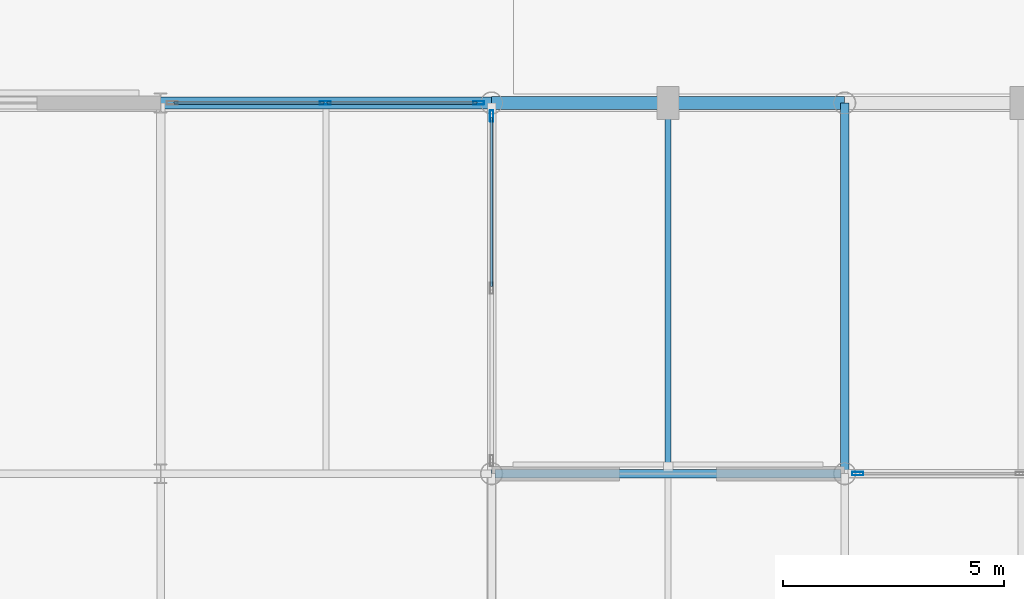
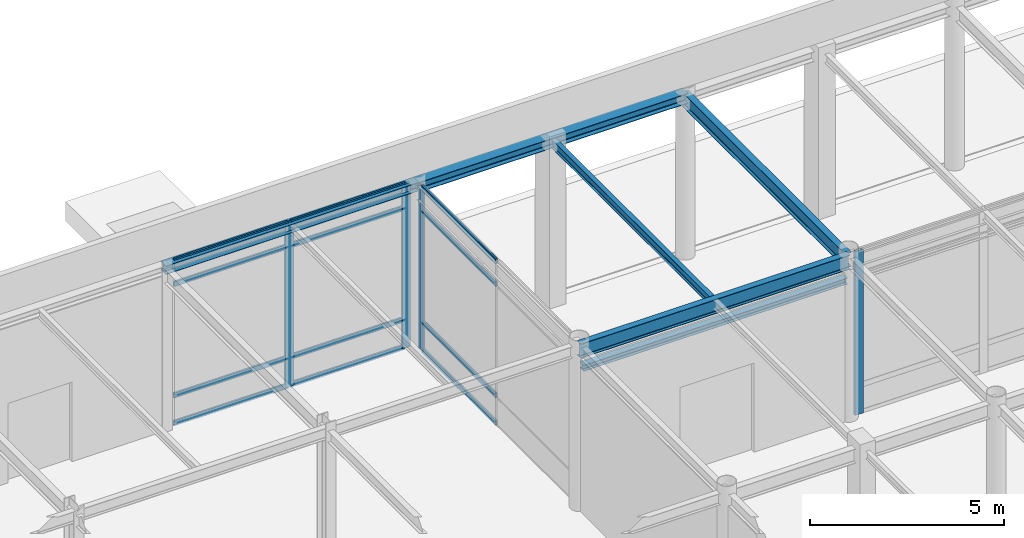
# One storey, part 35 of 89: 16 members, 6 beams, 3 elements without a shape of their own.
"""IFC4 building model written with IfcOpenShell, lengths in metres."""

from ifc_helpers import new_model, si_unit, direction, frame, origin, origin_2d, place, context, subcontext, project, spatial, hollow_rectangle, i_section, extrude, material, layer, layer_set, material_profile, profile_set, type_object, element, aggregate, save


model = new_model("IFC4")

# Units and contexts
model_context = context("Model", 3, precision=1e-05, world=origin(), true_north=direction((0.0, 1.0)))
body_context = subcontext(model_context, "Body", "Model", "MODEL_VIEW")
ifc_project = project(units=[si_unit("LENGTHUNIT", "METRE"), si_unit("AREAUNIT", "SQUARE_METRE"), si_unit("VOLUMEUNIT", "CUBIC_METRE"), si_unit("PLANEANGLEUNIT", "RADIAN"), si_unit("MASSUNIT", "GRAM", prefix="KILO")], contexts=[model_context])

# Site, building, storey
site_placement = place(None, origin())
site = spatial("IfcSite", under=ifc_project, at=site_placement, CompositionType="ELEMENT")
building_placement = place(site_placement, origin())
building = spatial("IfcBuilding", under=site, at=building_placement, Name="Shalkamar Park Central Library", CompositionType="ELEMENT")
storey_placement = place(building_placement, origin())
storey = spatial("IfcBuildingStorey", under=building, at=storey_placement, Name="L01", CompositionType="ELEMENT", Elevation=0.0)

# Beam
ifc_material_1 = material(Name="Steel S355", Category="steel")
ifc_material_profile_1 = material_profile(ifc_material_1, i_section(OverallWidth=0.135009765625, OverallDepth=0.27001953125, WebThickness=0.006591796875, FlangeThickness=0.01025390625, FilletRadius=0.014892578125, at=origin_2d()), Name="IPE 270")
ifc_profile_set_1 = profile_set([ifc_material_profile_1], Name="Steel S355")
beam_type_1 = type_object("IfcBeamType", Name="Composite Floor Joist IPE270", PredefinedType="JOIST", material=ifc_profile_set_1)
beam_1_placement = place(storey_placement, frame((169.0, 345.693115234375, 5.0048828125), z_axis=(0.0, 1.0, 0.0), x_axis=(-1.0, 0.0, 0.0)))
element("IfcBeam", 1, at=beam_1_placement, inside=storey, type_object=beam_type_1, Name="Composite Joist 07/Q-1 (L01)", PredefinedType="JOIST", context=body_context, shape_type="SweptSolid", body=[
    extrude(i_section(OverallWidth=0.135009765625, OverallDepth=0.27001953125, WebThickness=0.006591796875, FlangeThickness=0.01025390625, FilletRadius=0.014892578125, at=origin_2d()), origin(), (0.0, 0.0, 1.0), 8.158935546875),
])

# Curtain wall, members
ifc_material_2 = material(Name="Thermally broken aluminium and triple low-e curtain wall", Category="aluminium")
ifc_layer_1 = layer(ifc_material_2, 0.25)
ifc_layer_set_1 = layer_set([ifc_layer_1], Name="UnitisedCurtainWall_07")
curtain_wall_type_1 = type_object("IfcCurtainWallType", Name="Unitised Curtain Wall 07", PredefinedType="USERDEFINED", material=ifc_layer_set_1)
curtain_wall_1_placement = place(storey_placement, origin())
curtain_wall_1 = element("IfcCurtainWall", 2, at=curtain_wall_1_placement, inside=storey, type_object=curtain_wall_type_1, Name="Unitised Curtain Wall CW-L01-007", ObjectType="UNITISED CURTAIN WALL", PredefinedType="USERDEFINED")
ifc_material_3 = material(Name="Aluminium 6060-T66", Category="aluminium")
ifc_material_profile_2 = material_profile(ifc_material_3, hollow_rectangle(XDim=0.074951171875, YDim=0.25, WallThickness=0.00390625, InnerFilletRadius=0.00390625, OuterFilletRadius=0.006103515625, at=origin_2d()), Name="ALU 75x250x4")
ifc_profile_set_2 = profile_set([ifc_material_profile_2], Name="Aluminium 6060-T66")
member_type_1 = type_object("IfcMemberType", Name="Curtain Wall Mullion ALU75x250", PredefinedType="MULLION", material=ifc_profile_set_2)
member_1_placement = place(storey_placement, frame((161.235595703125, 354.0, 0.0), z_axis=(0.0, 0.0, 1.0), x_axis=(0.0, 1.0, 0.0)))
member_1 = element("IfcMember", 3, at=member_1_placement, type_object=member_type_1, Name="CW-07 mullion 2", PredefinedType="MULLION", context=body_context, shape_type="SweptSolid", body=[
    extrude(hollow_rectangle(XDim=0.074951171875, YDim=0.25, WallThickness=0.00390625, InnerFilletRadius=0.00390625, OuterFilletRadius=0.006103515625, at=origin_2d()), origin(), (0.0, 0.0, 1.0), 5.14990234375),
])
member_2_placement = place(storey_placement, frame((164.70458984375, 354.0, 0.0), z_axis=(0.0, 0.0, 1.0), x_axis=(0.0, 1.0, 0.0)))
member_2 = element("IfcMember", 4, at=member_2_placement, type_object=member_type_1, Name="CW-07 mullion 3", PredefinedType="MULLION", context=body_context, shape_type="SweptSolid", body=[
    extrude(hollow_rectangle(XDim=0.074951171875, YDim=0.25, WallThickness=0.00390625, InnerFilletRadius=0.00390625, OuterFilletRadius=0.006103515625, at=origin_2d()), origin(), (0.0, 0.0, 1.0), 5.14990234375),
])

# Curtain wall, member
ifc_layer_2 = layer(ifc_material_2, 0.25)
ifc_layer_set_2 = layer_set([ifc_layer_2], Name="UnitisedCurtainWall_14")
curtain_wall_type_2 = type_object("IfcCurtainWallType", Name="Unitised Curtain Wall 14", PredefinedType="USERDEFINED", material=ifc_layer_set_2)
curtain_wall_2_placement = place(storey_placement, origin())
curtain_wall_2 = element("IfcCurtainWall", 5, at=curtain_wall_2_placement, inside=storey, type_object=curtain_wall_type_2, Name="Unitised Curtain Wall CW-L01-015", ObjectType="UNITISED CURTAIN WALL", PredefinedType="USERDEFINED")
member_3_placement = place(storey_placement, frame((165.0, 353.70458984375, 0.0), z_axis=(0.0, 0.0, 1.0), x_axis=(-1.0, 0.0, 0.0)))
member_3 = element("IfcMember", 6, at=member_3_placement, type_object=member_type_1, Name="CW-14 mullion 3", PredefinedType="MULLION", context=body_context, shape_type="SweptSolid", body=[
    extrude(hollow_rectangle(XDim=0.074951171875, YDim=0.25, WallThickness=0.00390625, InnerFilletRadius=0.00390625, OuterFilletRadius=0.006103515625, at=origin_2d()), origin(), (0.0, 0.0, 1.0), 5.139892578125),
])

ifc_layer_3 = layer(ifc_material_2, 0.2548828125)
ifc_layer_set_3 = layer_set([ifc_layer_3], Name="UnitisedCurtainWall_08")
curtain_wall_type_3 = type_object("IfcCurtainWallType", Name="Unitised Curtain Wall 08", PredefinedType="USERDEFINED", material=ifc_layer_set_3)
curtain_wall_3_placement = place(storey_placement, origin())
curtain_wall_3 = element("IfcCurtainWall", 7, at=curtain_wall_3_placement, inside=storey, type_object=curtain_wall_type_3, Name="Unitised Curtain Wall CW-L01-008", ObjectType="UNITISED CURTAIN WALL", PredefinedType="USERDEFINED")
ifc_material_profile_3 = material_profile(ifc_material_3, hollow_rectangle(XDim=0.080078125, YDim=0.2548828125, WallThickness=0.00439453125, InnerFilletRadius=0.00439453125, OuterFilletRadius=0.0068359375, at=origin_2d()), Name="ALU 80x255x4.5")
ifc_profile_set_3 = profile_set([ifc_material_profile_3], Name="Aluminium 6060-T66")
member_type_2 = type_object("IfcMemberType", Name="Curtain Wall Mullion ALU80x255", PredefinedType="MULLION", material=ifc_profile_set_3)
member_4_placement = place(storey_placement, frame((173.298095703125, 345.60009765625, 0.0), z_axis=(0.0, 0.0, 1.0), x_axis=(0.0, 1.0, 0.0)))
member_4 = element("IfcMember", 8, at=member_4_placement, type_object=member_type_2, Name="CW-08 mullion 1", PredefinedType="MULLION", context=body_context, shape_type="SweptSolid", body=[
    extrude(hollow_rectangle(XDim=0.080078125, YDim=0.2548828125, WallThickness=0.00439453125, InnerFilletRadius=0.00439453125, OuterFilletRadius=0.0068359375, at=origin_2d()), origin(), (0.0, 0.0, 1.0), 5.139892578125),
])
aggregate(curtain_wall_3, [member_4])

# Member
ifc_material_profile_4 = material_profile(ifc_material_3, hollow_rectangle(XDim=0.06005859375, YDim=0.159912109375, WallThickness=0.00390625, InnerFilletRadius=0.00390625, OuterFilletRadius=0.006103515625, at=origin_2d()), Name="ALU 60x160x4")
ifc_profile_set_4 = profile_set([ifc_material_profile_4], Name="Aluminium 6060-T66")
member_type_3 = type_object("IfcMemberType", Name="Curtain Wall Transom ALU60x160", PredefinedType="USERDEFINED", material=ifc_profile_set_4)
member_5_placement = place(storey_placement, frame((157.803955078125, 354.0, 0.030029296875), z_axis=(1.0, 0.0, 0.0), x_axis=(0.0, 1.0, 0.0)))
member_5 = element("IfcMember", 9, at=member_5_placement, type_object=member_type_3, Name="CW-07 transom 1.1", ObjectType="TRANSOM", PredefinedType="USERDEFINED", context=body_context, shape_type="SweptSolid", body=[
    extrude(hollow_rectangle(XDim=0.06005859375, YDim=0.159912109375, WallThickness=0.00390625, InnerFilletRadius=0.00390625, OuterFilletRadius=0.006103515625, at=origin_2d()), origin(), (0.0, 0.0, 1.0), 3.39404296875),
])

member_6_placement = place(storey_placement, frame((157.803955078125, 354.0, 0.89990234375), z_axis=(1.0, 0.0, 0.0), x_axis=(0.0, 1.0, 0.0)))
member_6 = element("IfcMember", 10, at=member_6_placement, type_object=member_type_3, Name="CW-07 transom 1.2", ObjectType="TRANSOM", PredefinedType="USERDEFINED", context=body_context, shape_type="SweptSolid", body=[
    extrude(hollow_rectangle(XDim=0.06005859375, YDim=0.159912109375, WallThickness=0.00390625, InnerFilletRadius=0.00390625, OuterFilletRadius=0.006103515625, at=origin_2d()), origin(), (0.0, 0.0, 1.0), 3.39404296875),
])

member_7_placement = place(storey_placement, frame((157.803955078125, 354.0, 4.39990234375), z_axis=(1.0, 0.0, 0.0), x_axis=(0.0, 1.0, 0.0)))
member_7 = element("IfcMember", 11, at=member_7_placement, type_object=member_type_3, Name="CW-07 transom 1.3", ObjectType="TRANSOM", PredefinedType="USERDEFINED", context=body_context, shape_type="SweptSolid", body=[
    extrude(hollow_rectangle(XDim=0.06005859375, YDim=0.159912109375, WallThickness=0.00390625, InnerFilletRadius=0.00390625, OuterFilletRadius=0.006103515625, at=origin_2d()), origin(), (0.0, 0.0, 1.0), 3.39404296875),
])

member_8_placement = place(storey_placement, frame((157.803955078125, 354.0, 5.1201171875), z_axis=(1.0, 0.0, 0.0), x_axis=(0.0, 1.0, 0.0)))
member_8 = element("IfcMember", 12, at=member_8_placement, type_object=member_type_3, Name="CW-07 transom 1.4", ObjectType="TRANSOM", PredefinedType="USERDEFINED", context=body_context, shape_type="SweptSolid", body=[
    extrude(hollow_rectangle(XDim=0.06005859375, YDim=0.159912109375, WallThickness=0.00390625, InnerFilletRadius=0.00390625, OuterFilletRadius=0.006103515625, at=origin_2d()), origin(), (0.0, 0.0, 1.0), 3.39404296875),
])

member_9_placement = place(storey_placement, frame((161.27294921875, 354.0, 0.030029296875), z_axis=(1.0, 0.0, 0.0), x_axis=(0.0, 1.0, 0.0)))
member_9 = element("IfcMember", 13, at=member_9_placement, type_object=member_type_3, Name="CW-07 transom 2.1", ObjectType="TRANSOM", PredefinedType="USERDEFINED", context=body_context, shape_type="SweptSolid", body=[
    extrude(hollow_rectangle(XDim=0.06005859375, YDim=0.159912109375, WallThickness=0.00390625, InnerFilletRadius=0.00390625, OuterFilletRadius=0.006103515625, at=origin_2d()), origin(), (0.0, 0.0, 1.0), 3.39404296875),
])

member_10_placement = place(storey_placement, frame((161.27294921875, 354.0, 0.89990234375), z_axis=(1.0, 0.0, 0.0), x_axis=(0.0, 1.0, 0.0)))
member_10 = element("IfcMember", 14, at=member_10_placement, type_object=member_type_3, Name="CW-07 transom 2.2", ObjectType="TRANSOM", PredefinedType="USERDEFINED", context=body_context, shape_type="SweptSolid", body=[
    extrude(hollow_rectangle(XDim=0.06005859375, YDim=0.159912109375, WallThickness=0.00390625, InnerFilletRadius=0.00390625, OuterFilletRadius=0.006103515625, at=origin_2d()), origin(), (0.0, 0.0, 1.0), 3.39404296875),
])

member_11_placement = place(storey_placement, frame((161.27294921875, 354.0, 4.39990234375), z_axis=(1.0, 0.0, 0.0), x_axis=(0.0, 1.0, 0.0)))
member_11 = element("IfcMember", 15, at=member_11_placement, type_object=member_type_3, Name="CW-07 transom 2.3", ObjectType="TRANSOM", PredefinedType="USERDEFINED", context=body_context, shape_type="SweptSolid", body=[
    extrude(hollow_rectangle(XDim=0.06005859375, YDim=0.159912109375, WallThickness=0.00390625, InnerFilletRadius=0.00390625, OuterFilletRadius=0.006103515625, at=origin_2d()), origin(), (0.0, 0.0, 1.0), 3.39404296875),
])

member_12_placement = place(storey_placement, frame((161.27294921875, 354.0, 5.1201171875), z_axis=(1.0, 0.0, 0.0), x_axis=(0.0, 1.0, 0.0)))
member_12 = element("IfcMember", 16, at=member_12_placement, type_object=member_type_3, Name="CW-07 transom 2.4", ObjectType="TRANSOM", PredefinedType="USERDEFINED", context=body_context, shape_type="SweptSolid", body=[
    extrude(hollow_rectangle(XDim=0.06005859375, YDim=0.159912109375, WallThickness=0.00390625, InnerFilletRadius=0.00390625, OuterFilletRadius=0.006103515625, at=origin_2d()), origin(), (0.0, 0.0, 1.0), 3.39404296875),
])

aggregate(curtain_wall_1, [member_1, member_2, member_5, member_6, member_7, member_8, member_9, member_10, member_11, member_12])

member_13_placement = place(storey_placement, frame((165.0, 349.83740234375, 0.030029296875), z_axis=(0.0, 1.0, 0.0), x_axis=(-1.0, 0.0, 0.0)))
member_13 = element("IfcMember", 17, at=member_13_placement, type_object=member_type_3, Name="CW-14 transom 2.1", ObjectType="TRANSOM", PredefinedType="USERDEFINED", context=body_context, shape_type="SweptSolid", body=[
    extrude(hollow_rectangle(XDim=0.06005859375, YDim=0.159912109375, WallThickness=0.00390625, InnerFilletRadius=0.00390625, OuterFilletRadius=0.006103515625, at=origin_2d()), origin(), (0.0, 0.0, 1.0), 3.82958984375),
])

member_14_placement = place(storey_placement, frame((165.0, 349.83740234375, 0.89990234375), z_axis=(0.0, 1.0, 0.0), x_axis=(-1.0, 0.0, 0.0)))
member_14 = element("IfcMember", 18, at=member_14_placement, type_object=member_type_3, Name="CW-14 transom 2.2", ObjectType="TRANSOM", PredefinedType="USERDEFINED", context=body_context, shape_type="SweptSolid", body=[
    extrude(hollow_rectangle(XDim=0.06005859375, YDim=0.159912109375, WallThickness=0.00390625, InnerFilletRadius=0.00390625, OuterFilletRadius=0.006103515625, at=origin_2d()), origin(), (0.0, 0.0, 1.0), 3.82958984375),
])

member_15_placement = place(storey_placement, frame((165.0, 349.83740234375, 4.389892578125), z_axis=(0.0, 1.0, 0.0), x_axis=(-1.0, 0.0, 0.0)))
member_15 = element("IfcMember", 19, at=member_15_placement, type_object=member_type_3, Name="CW-14 transom 2.3", ObjectType="TRANSOM", PredefinedType="USERDEFINED", context=body_context, shape_type="SweptSolid", body=[
    extrude(hollow_rectangle(XDim=0.06005859375, YDim=0.159912109375, WallThickness=0.00390625, InnerFilletRadius=0.00390625, OuterFilletRadius=0.006103515625, at=origin_2d()), origin(), (0.0, 0.0, 1.0), 3.82958984375),
])

member_16_placement = place(storey_placement, frame((165.0, 349.83740234375, 5.110107421875), z_axis=(0.0, 1.0, 0.0), x_axis=(-1.0, 0.0, 0.0)))
member_16 = element("IfcMember", 20, at=member_16_placement, type_object=member_type_3, Name="CW-14 transom 2.4", ObjectType="TRANSOM", PredefinedType="USERDEFINED", context=body_context, shape_type="SweptSolid", body=[
    extrude(hollow_rectangle(XDim=0.06005859375, YDim=0.159912109375, WallThickness=0.00390625, InnerFilletRadius=0.00390625, OuterFilletRadius=0.006103515625, at=origin_2d()), origin(), (0.0, 0.0, 1.0), 3.82958984375),
])

aggregate(curtain_wall_2, [member_3, member_13, member_14, member_15, member_16])

# Beams
ifc_material_profile_5 = material_profile(ifc_material_1, i_section(OverallWidth=0.199951171875, OverallDepth=0.18994140625, WebThickness=0.006591796875, FlangeThickness=0.010009765625, FilletRadius=0.01806640625, at=origin_2d()), Name="HEA 200")
ifc_profile_set_5 = profile_set([ifc_material_profile_5], Name="Steel S355")
beam_type_2 = type_object("IfcBeamType", Name="Opening Lintel Beam HEA200", PredefinedType="LINTEL", material=ifc_profile_set_5)
beam_2_placement = place(storey_placement, frame((165.080078125, 345.60009765625, 4.35009765625), z_axis=(1.0, 0.0, 0.0), x_axis=(0.0, 1.0, 0.0)))
element("IfcBeam", 21, at=beam_2_placement, inside=storey, type_object=beam_type_2, Name="Opening Lintel L01-09", PredefinedType="LINTEL", context=body_context, shape_type="SweptSolid", body=[
    extrude(i_section(OverallWidth=0.199951171875, OverallDepth=0.18994140625, WebThickness=0.006591796875, FlangeThickness=0.010009765625, FilletRadius=0.01806640625, at=origin_2d()), origin(), (0.0, 0.0, 1.0), 7.83984375),
])
ifc_material_profile_6 = material_profile(ifc_material_1, i_section(OverallWidth=0.280029296875, OverallDepth=0.27001953125, WebThickness=0.008056640625, FlangeThickness=0.012939453125, FilletRadius=0.02392578125, at=origin_2d()), Name="HEA 280")
ifc_profile_set_6 = profile_set([ifc_material_profile_6], Name="Steel S355")
beam_type_3 = type_object("IfcBeamType", Name="Perimeter Spandrel Beam HEA280", PredefinedType="SPANDREL", material=ifc_profile_set_6)
beam_3_placement = place(storey_placement, frame((157.5, 354.0, 5.014892578125), z_axis=(1.0, 0.0, 0.0), x_axis=(0.0, 1.0, 0.0)))
element("IfcBeam", 22, at=beam_3_placement, inside=storey, type_object=beam_type_3, Name="Beam R:06-07 (L01)", PredefinedType="SPANDREL", context=body_context, shape_type="SweptSolid", body=[
    extrude(i_section(OverallWidth=0.280029296875, OverallDepth=0.27001953125, WebThickness=0.008056640625, FlangeThickness=0.012939453125, FilletRadius=0.02392578125, at=origin_2d()), origin(), (0.0, 0.0, 1.0), 7.5),
])
ifc_material_profile_7 = material_profile(ifc_material_1, i_section(OverallWidth=0.300048828125, OverallDepth=0.31005859375, WebThickness=0.009033203125, FlangeThickness=0.015380859375, FilletRadius=0.027099609375, at=origin_2d()), Name="HEA 320")
ifc_profile_set_7 = profile_set([ifc_material_profile_7], Name="Steel S355")
beam_type_4 = type_object("IfcBeamType", Name="Perimeter Spandrel Beam HEA320", PredefinedType="SPANDREL", material=ifc_profile_set_7)
beam_4_placement = place(storey_placement, frame((165.0, 354.0, 4.9951171875), z_axis=(1.0, 0.0, 0.0), x_axis=(0.0, 1.0, 0.0)))
element("IfcBeam", 23, at=beam_4_placement, inside=storey, type_object=beam_type_4, Name="Beam R:07-08 (L01)", PredefinedType="SPANDREL", context=body_context, shape_type="SweptSolid", body=[
    extrude(i_section(OverallWidth=0.300048828125, OverallDepth=0.31005859375, WebThickness=0.009033203125, FlangeThickness=0.015380859375, FilletRadius=0.027099609375, at=origin_2d()), origin(), (0.0, 0.0, 1.0), 8.0),
])
ifc_material_profile_8 = material_profile(ifc_material_1, i_section(OverallWidth=0.18994140625, OverallDepth=0.449951171875, WebThickness=0.009521484375, FlangeThickness=0.0146484375, FilletRadius=0.02099609375, at=origin_2d()), Name="IPE 450")
ifc_profile_set_8 = profile_set([ifc_material_profile_8], Name="Steel S355")
beam_type_5 = type_object("IfcBeamType", Name="Primary Girder IPE450", PredefinedType="BEAM", material=ifc_profile_set_8)
beam_5_placement = place(storey_placement, frame((165.0, 345.60009765625, 4.9150390625), z_axis=(1.0, 0.0, 0.0), x_axis=(0.0, 1.0, 0.0)))
element("IfcBeam", 24, at=beam_5_placement, inside=storey, type_object=beam_type_5, Name="Beam Q:07-08 (L01)", PredefinedType="BEAM", context=body_context, shape_type="SweptSolid", body=[
    extrude(i_section(OverallWidth=0.18994140625, OverallDepth=0.449951171875, WebThickness=0.009521484375, FlangeThickness=0.0146484375, FilletRadius=0.02099609375, at=origin_2d()), origin(), (0.0, 0.0, 1.0), 8.0),
])
beam_6_placement = place(storey_placement, frame((173.0, 345.60009765625, 4.9150390625), z_axis=(0.0, 1.0, 0.0), x_axis=(-1.0, 0.0, 0.0)))
element("IfcBeam", 25, at=beam_6_placement, inside=storey, type_object=beam_type_5, Name="Beam 08:Q-R (L01)", PredefinedType="BEAM", context=body_context, shape_type="SweptSolid", body=[
    extrude(i_section(OverallWidth=0.18994140625, OverallDepth=0.449951171875, WebThickness=0.009521484375, FlangeThickness=0.0146484375, FilletRadius=0.02099609375, at=origin_2d()), origin(), (0.0, 0.0, 1.0), 8.39990234375),
])

save(model, "model.ifc")
